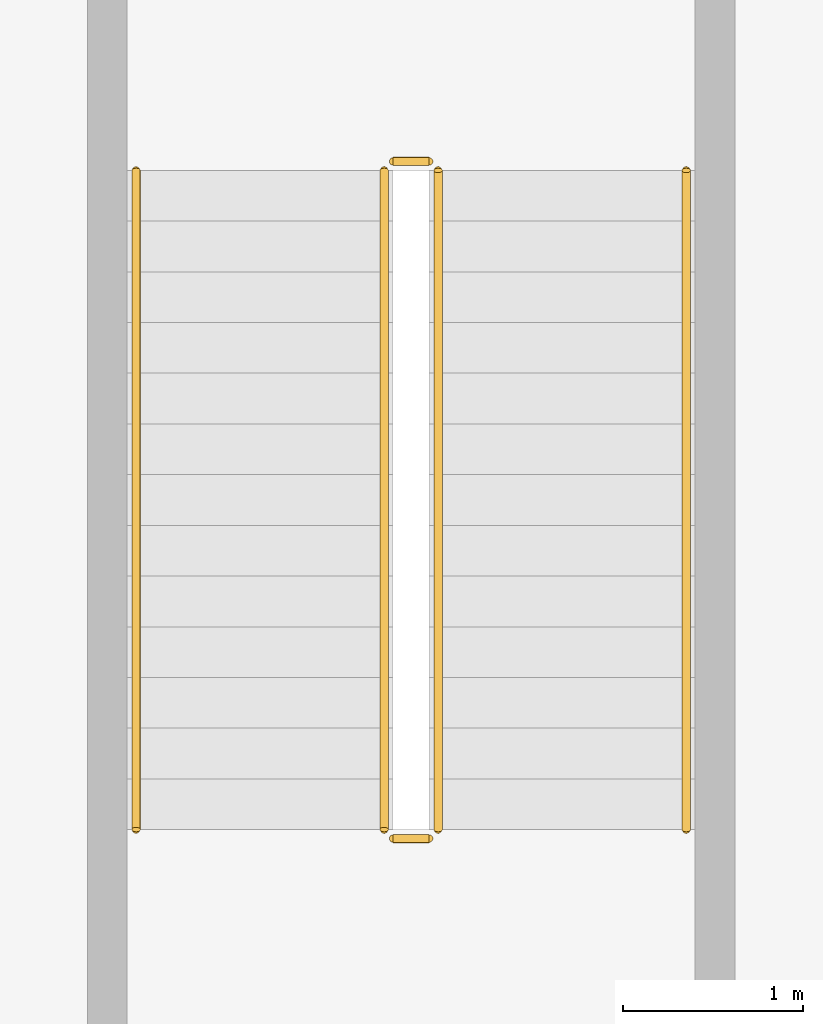
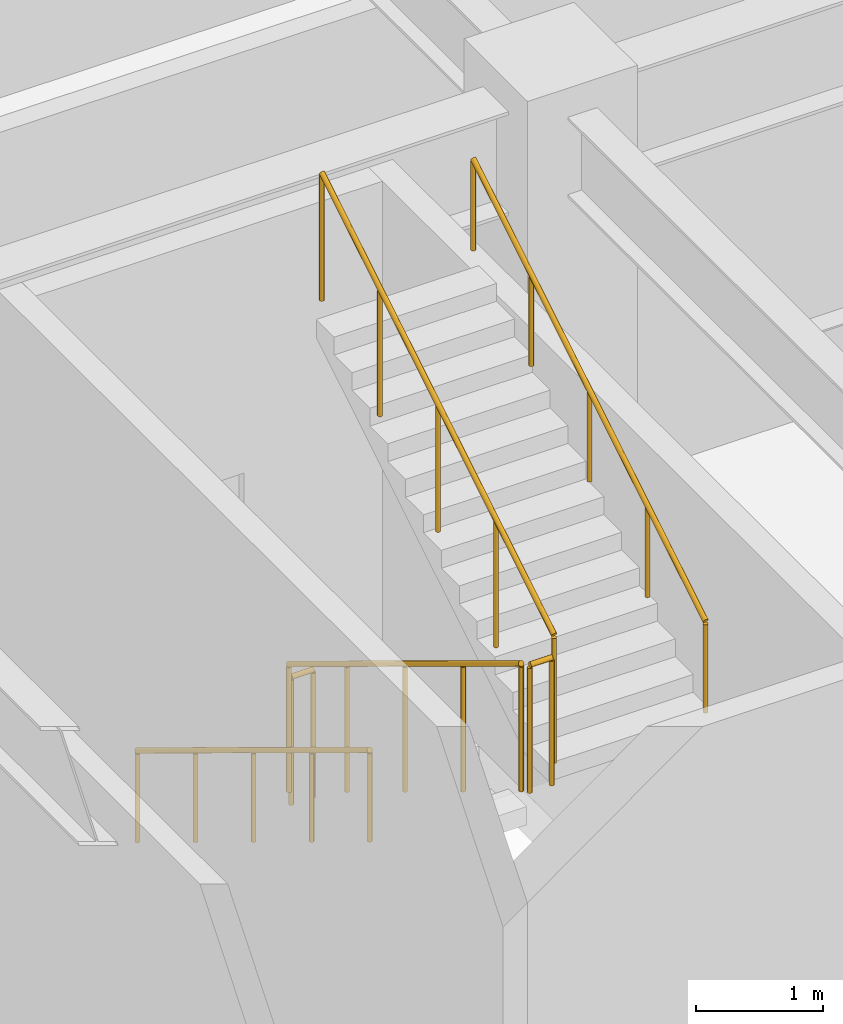
# One storey, part 14 of 18: 6 railings.
"""IFC4 building model written with IfcOpenShell, lengths in metres."""

from ifc_helpers import new_model, si_unit, direction, frame, origin, origin_2d, place, context, subcontext, project, spatial, circle, extrude, material, type_object, element, save


model = new_model("IFC4")

# Units and contexts
model_context = context("Model", 3, precision=1e-05, world=origin(), true_north=direction((0.0, 1.0)))
body_context = subcontext(model_context, "Body", "Model", "MODEL_VIEW")
ifc_project = project(units=[si_unit("LENGTHUNIT", "METRE"), si_unit("AREAUNIT", "SQUARE_METRE"), si_unit("VOLUMEUNIT", "CUBIC_METRE"), si_unit("PLANEANGLEUNIT", "RADIAN"), si_unit("MASSUNIT", "GRAM", prefix="KILO")], contexts=[model_context])

# Site, building, storey
site_placement = place(None, origin())
site = spatial("IfcSite", under=ifc_project, at=site_placement, CompositionType="ELEMENT")
building_placement = place(site_placement, origin())
building = spatial("IfcBuilding", under=site, at=building_placement, Name="Ochreholt Gables", CompositionType="ELEMENT")
storey_placement = place(building_placement, frame((0.0, 0.0, 4.800048828125)))
storey = spatial("IfcBuildingStorey", under=building, at=storey_placement, Name="L01", CompositionType="ELEMENT", Elevation=4.800048828125)

# Railings
ifc_material_1 = material(Name="Painted Steel Stair Guardrail", Category="steel")
railing_type_1 = type_object("IfcRailingType", Name="RL-ST-GUARD", PredefinedType="GUARDRAIL", material=ifc_material_1)
railing_1_placement = place(storey_placement, frame((14.679931640625, 15.5, 0.17138671875)))
element("IfcRailing", 1, at=railing_1_placement, inside=storey, type_object=railing_type_1, Name="L01 ST-P1 stair guard 1", PredefinedType="GUARDRAIL", context=body_context, shape_type="SweptSolid", body=[
    extrude(circle(Radius=0.02392578125, at=origin_2d()), frame((0.0, 0.0, 1.22607421875), z_axis=(0.0, -0.85450609292, 0.519441370283), x_axis=(1.0, 0.0, 0.0)), (0.0, 0.0, 1.0), 4.290283203125),
    extrude(circle(Radius=0.02099609375, at=origin_2d()), origin(), (0.0, 0.0, 1.0), 1.201904296875),
    extrude(circle(Radius=0.02099609375, at=origin_2d()), frame((0.0, -0.91650390625, 0.55712890625)), (0.0, 0.0, 1.0), 1.201904296875),
    extrude(circle(Radius=0.02099609375, at=origin_2d()), frame((0.0, -1.8330078125, 1.1142578125)), (0.0, 0.0, 1.0), 1.201904296875),
    extrude(circle(Radius=0.02099609375, at=origin_2d()), frame((0.0, -2.74951171875, 1.67138671875)), (0.0, 0.0, 1.0), 1.201904296875),
    extrude(circle(Radius=0.02099609375, at=origin_2d()), frame((0.0, -3.666015625, 2.228515625)), (0.0, 0.0, 1.0), 1.201904296875),
])
railing_2_placement = place(storey_placement, frame((14.72998046875, 11.783935546875, 2.39990234375)))
element("IfcRailing", 2, at=railing_2_placement, inside=storey, type_object=railing_type_1, Name="L01 ST-P1 stair guard 2", PredefinedType="GUARDRAIL", context=body_context, shape_type="SweptSolid", body=[
    extrude(circle(Radius=0.02392578125, at=origin_2d()), frame((0.0, 0.0, 1.22607421875), z_axis=(1.0, 0.0, 0.0), x_axis=(0.0, 1.0, 0.0)), (0.0, 0.0, 1.0), 0.199951171875),
    extrude(circle(Radius=0.02099609375, at=origin_2d()), origin(), (0.0, 0.0, 1.0), 1.201904296875),
    extrude(circle(Radius=0.02099609375, at=origin_2d()), frame((0.199951171875, 0.0, 0.0)), (0.0, 0.0, 1.0), 1.201904296875),
])
railing_3_placement = place(storey_placement, frame((14.97998046875, 11.833984375, 2.5712890625)))
element("IfcRailing", 3, at=railing_3_placement, inside=storey, type_object=railing_type_1, Name="L01 ST-P1 stair guard 3", PredefinedType="GUARDRAIL", context=body_context, shape_type="SweptSolid", body=[
    extrude(circle(Radius=0.02392578125, at=origin_2d()), frame((0.0, 0.0, 1.22607421875), z_axis=(0.0, 0.854480833863, 0.519482920374), x_axis=(-1.0, 0.0, 0.0)), (0.0, 0.0, 1.0), 4.290283203125),
    extrude(circle(Radius=0.02099609375, at=origin_2d()), origin(), (0.0, 0.0, 1.0), 1.201904296875),
    extrude(circle(Radius=0.02099609375, at=origin_2d()), frame((0.0, 0.91650390625, 0.55712890625)), (0.0, 0.0, 1.0), 1.201904296875),
    extrude(circle(Radius=0.02099609375, at=origin_2d()), frame((0.0, 1.8330078125, 1.1142578125)), (0.0, 0.0, 1.0), 1.201904296875),
    extrude(circle(Radius=0.02099609375, at=origin_2d()), frame((0.0, 2.74951171875, 1.671630859375)), (0.0, 0.0, 1.0), 1.201904296875),
    extrude(circle(Radius=0.02099609375, at=origin_2d()), frame((0.0, 3.666015625, 2.228759765625)), (0.0, 0.0, 1.0), 1.201904296875),
])
railing_4_placement = place(storey_placement, frame((14.72998046875, 15.550048828125, 0.0)))
element("IfcRailing", 4, at=railing_4_placement, inside=storey, type_object=railing_type_1, Name="L01 ST-P1 stair guard 4", PredefinedType="GUARDRAIL", context=body_context, shape_type="SweptSolid", body=[
    extrude(circle(Radius=0.02392578125, at=origin_2d()), frame((0.0, 0.0, 1.22607421875), z_axis=(1.0, 0.0, 0.0), x_axis=(0.0, 1.0, 0.0)), (0.0, 0.0, 1.0), 0.199951171875),
    extrude(circle(Radius=0.02099609375, at=origin_2d()), origin(), (0.0, 0.0, 1.0), 1.201904296875),
    extrude(circle(Radius=0.02099609375, at=origin_2d()), frame((0.199951171875, 0.0, 0.0)), (0.0, 0.0, 1.0), 1.201904296875),
])
ifc_material_2 = material(Name="Brushed Stainless Steel Wall Handrail", Category="steel")
railing_type_2 = type_object("IfcRailingType", Name="RL-ST-HAND", PredefinedType="HANDRAIL", material=ifc_material_2)
railing_5_placement = place(storey_placement, frame((13.300048828125, 15.5, 0.17138671875)))
element("IfcRailing", 5, at=railing_5_placement, inside=storey, type_object=railing_type_2, Name="L01 ST-P1 stair handrail 1", PredefinedType="HANDRAIL", context=body_context, shape_type="SweptSolid", body=[
    extrude(circle(Radius=0.02392578125, at=origin_2d()), frame((0.0, 0.0, 0.8759765625), z_axis=(0.0, -0.85450609292, 0.519441370283), x_axis=(1.0, 0.0, 0.0)), (0.0, 0.0, 1.0), 4.290283203125),
    extrude(circle(Radius=0.02099609375, at=origin_2d()), origin(), (0.0, 0.0, 1.0), 0.851806640625),
    extrude(circle(Radius=0.02099609375, at=origin_2d()), frame((0.0, -0.91650390625, 0.55712890625)), (0.0, 0.0, 1.0), 0.851806640625),
    extrude(circle(Radius=0.02099609375, at=origin_2d()), frame((0.0, -1.8330078125, 1.1142578125)), (0.0, 0.0, 1.0), 0.851806640625),
    extrude(circle(Radius=0.02099609375, at=origin_2d()), frame((0.0, -2.74951171875, 1.67138671875)), (0.0, 0.0, 1.0), 0.851806640625),
    extrude(circle(Radius=0.02099609375, at=origin_2d()), frame((0.0, -3.666015625, 2.228515625)), (0.0, 0.0, 1.0), 0.851806640625),
])
railing_6_placement = place(storey_placement, frame((16.360107421875, 11.833984375, 2.5712890625)))
element("IfcRailing", 6, at=railing_6_placement, inside=storey, type_object=railing_type_2, Name="L01 ST-P1 stair handrail 2", PredefinedType="HANDRAIL", context=body_context, shape_type="SweptSolid", body=[
    extrude(circle(Radius=0.02392578125, at=origin_2d()), frame((0.0, 0.0, 0.8759765625), z_axis=(0.0, 0.854480833863, 0.519482920374), x_axis=(-1.0, 0.0, 0.0)), (0.0, 0.0, 1.0), 4.290283203125),
    extrude(circle(Radius=0.02099609375, at=origin_2d()), origin(), (0.0, 0.0, 1.0), 0.851806640625),
    extrude(circle(Radius=0.02099609375, at=origin_2d()), frame((0.0, 0.91650390625, 0.55712890625)), (0.0, 0.0, 1.0), 0.851806640625),
    extrude(circle(Radius=0.02099609375, at=origin_2d()), frame((0.0, 1.8330078125, 1.1142578125)), (0.0, 0.0, 1.0), 0.851806640625),
    extrude(circle(Radius=0.02099609375, at=origin_2d()), frame((0.0, 2.74951171875, 1.671630859375)), (0.0, 0.0, 1.0), 0.851806640625),
    extrude(circle(Radius=0.02099609375, at=origin_2d()), frame((0.0, 3.666015625, 2.228759765625)), (0.0, 0.0, 1.0), 0.851806640625),
])

save(model, "model.ifc")
